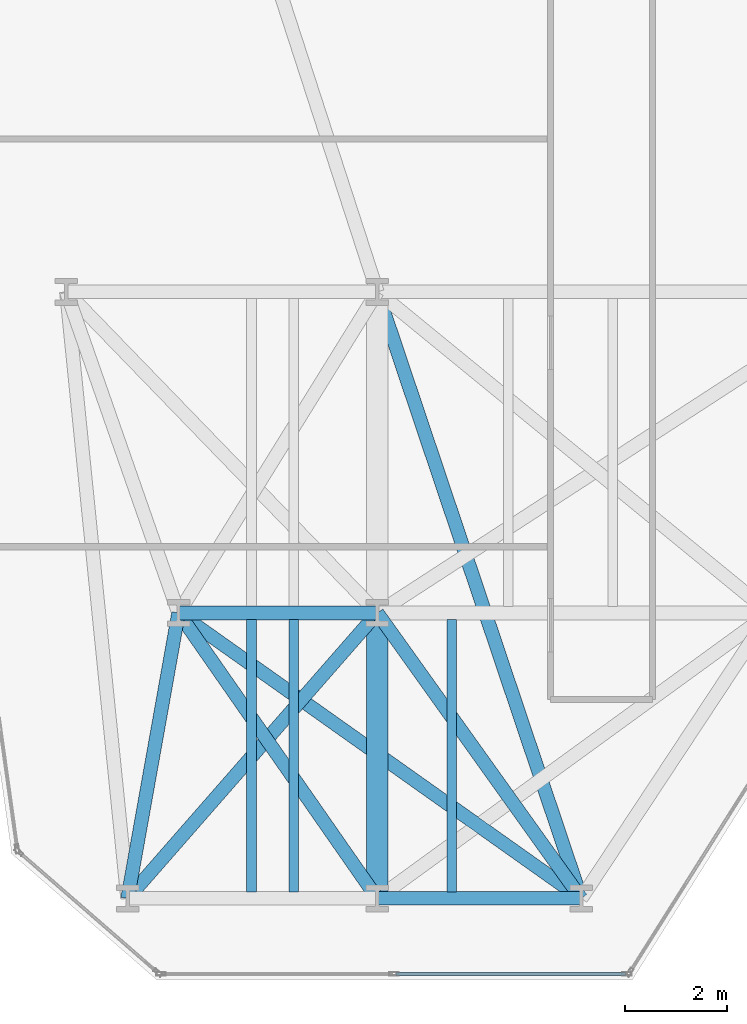
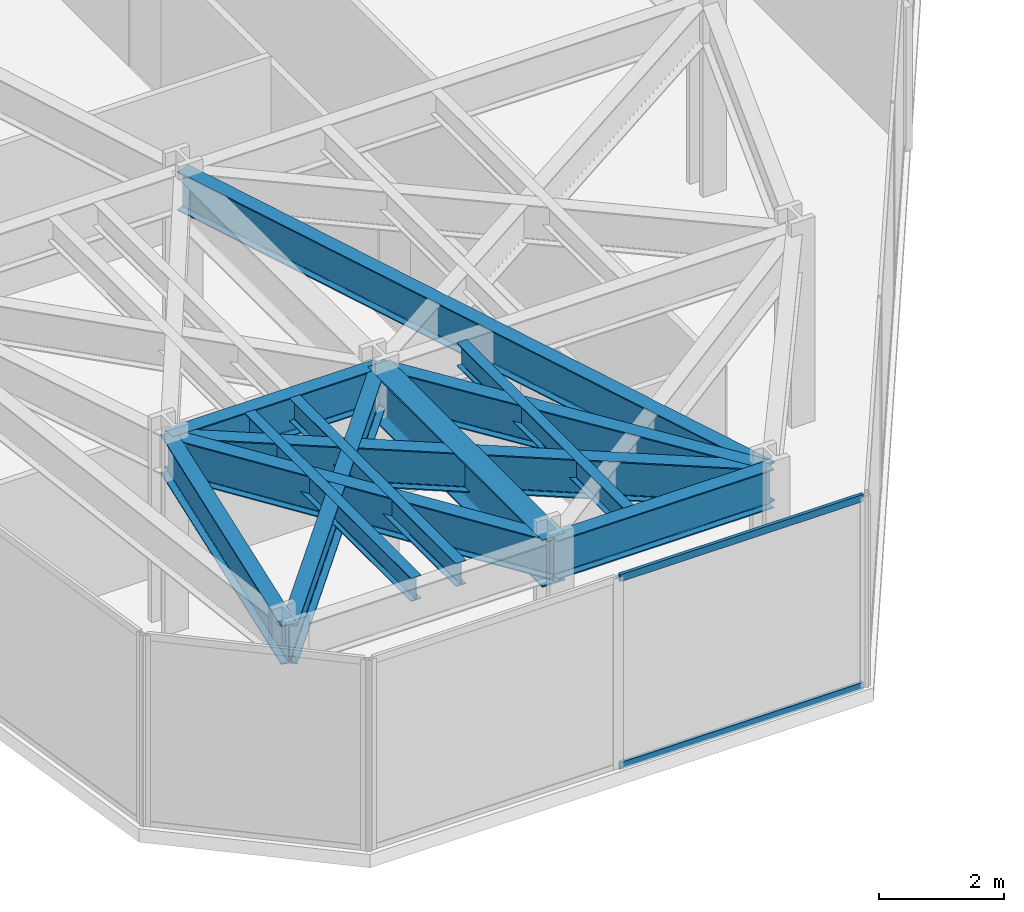
# One storey, part 3 of 25: 12 beams, 2 members, 1 element without a shape of its own.
"""IFC4 building model written with IfcOpenShell, lengths in metres."""

from ifc_helpers import new_model, si_unit, direction, frame, origin, origin_2d, place, context, subcontext, project, spatial, hollow_rectangle, i_section, extrude, material, layer, layer_set, material_profile, profile_set, type_object, element, aggregate, save


model = new_model("IFC4")

# Units and contexts
model_context = context("Model", 3, precision=1e-05, world=origin(), true_north=direction((0.0, 1.0)))
body_context = subcontext(model_context, "Body", "Model", "MODEL_VIEW")
ifc_project = project(units=[si_unit("LENGTHUNIT", "METRE"), si_unit("AREAUNIT", "SQUARE_METRE"), si_unit("VOLUMEUNIT", "CUBIC_METRE"), si_unit("PLANEANGLEUNIT", "RADIAN"), si_unit("MASSUNIT", "GRAM", prefix="KILO")], contexts=[model_context])

# Site, building, storey
site_placement = place(None, origin())
site = spatial("IfcSite", under=ifc_project, at=site_placement, CompositionType="ELEMENT")
building_placement = place(site_placement, origin())
building = spatial("IfcBuilding", under=site, at=building_placement, Name="Kravanh Interchange Tower", CompositionType="ELEMENT")
storey_placement = place(building_placement, frame((0.0, 0.0, 57.5)))
storey = spatial("IfcBuildingStorey", under=building, at=storey_placement, Name="L13", CompositionType="ELEMENT", Elevation=57.5)

# Curtain wall, members
ifc_material_1 = material(Name="Anodised Bronze Aluminium", Category="aluminium")
ifc_layer = layer(ifc_material_1, 0.179931640625)
ifc_layer_set = layer_set([ifc_layer], Name="Unitised Curtain Wall System CW-Z1 Lower Office")
curtain_wall_type = type_object("IfcCurtainWallType", Name="Unitised Curtain Wall System CW-Z1 Lower Office", PredefinedType="NOTDEFINED", material=ifc_layer_set)
curtain_wall_placement = place(storey_placement, origin())
curtain_wall = element("IfcCurtainWall", 1, at=curtain_wall_placement, inside=storey, type_object=curtain_wall_type, Name="L13 Unitised Curtain Wall CW-L13-06", PredefinedType="NOTDEFINED")
ifc_material_2 = material(Name="Anodised Bronze Aluminium", Category="aluminium")
ifc_material_profile_1 = material_profile(ifc_material_2, hollow_rectangle(XDim=0.06005859375, YDim=0.139892578125, WallThickness=0.00390625, at=origin_2d()), Name="ALU60X140X4")
ifc_profile_set_1 = profile_set([ifc_material_profile_1], Name="Anodised Bronze Aluminium")
member_type = type_object("IfcMemberType", Name="Curtain Wall Transom ALU60X140X4 Bronze", PredefinedType="USERDEFINED", material=ifc_profile_set_1)
member_1_placement = place(storey_placement, frame((22.36376953125, 1.1201171875, 0.030029296875), z_axis=(-1.0, 0.0, 0.0), x_axis=(0.0, -1.0, 0.0)))
member_1 = element("IfcMember", 2, at=member_1_placement, type_object=member_type, Name="CW-Z1 transom 1.1", ObjectType="TRANSOM", PredefinedType="USERDEFINED", context=body_context, shape_type="SweptSolid", body=[
    extrude(hollow_rectangle(XDim=0.06005859375, YDim=0.139892578125, WallThickness=0.00390625, at=origin_2d()), origin(), (0.0, 0.0, 1.0), 4.50146484375),
])
member_2_placement = place(storey_placement, frame((22.36376953125, 1.1201171875, 3.7099609375), z_axis=(-1.0, 0.0, 0.0), x_axis=(0.0, -1.0, 0.0)))
member_2 = element("IfcMember", 3, at=member_2_placement, type_object=member_type, Name="CW-Z1 transom 1.2", ObjectType="TRANSOM", PredefinedType="USERDEFINED", context=body_context, shape_type="SweptSolid", body=[
    extrude(hollow_rectangle(XDim=0.06005859375, YDim=0.139892578125, WallThickness=0.00390625, at=origin_2d()), origin(), (0.0, 0.0, 1.0), 4.50146484375),
])
aggregate(curtain_wall, [member_1, member_2])

# Beams
ifc_material_3 = material(Name="Structural Steel S355", Category="steel")
ifc_material_profile_2 = material_profile(ifc_material_3, i_section(OverallWidth=0.41796875, OverallDepth=0.927001953125, WebThickness=0.019287109375, FlangeThickness=0.031982421875, FilletRadius=0.028076171875, at=origin_2d()), Name="W36X231")
ifc_profile_set_2 = profile_set([ifc_material_profile_2], Name="Structural Steel S355")
beam_type_1 = type_object("IfcBeamType", Name="Floor Beam W36X231 Structural Steel S355", PredefinedType="BEAM", material=ifc_profile_set_2)
beam_1_placement = place(storey_placement, frame((17.5, 2.60009765625, 3.276611328125), z_axis=(0.0, 1.0, 0.0), x_axis=(-1.0, 0.0, 0.0)))
element("IfcBeam", 4, at=beam_1_placement, inside=storey, type_object=beam_type_1, Name="L13 Primary Floor Girder 103", PredefinedType="BEAM", context=body_context, shape_type="SweptSolid", body=[
    extrude(i_section(OverallWidth=0.41796875, OverallDepth=0.927001953125, WebThickness=0.019287109375, FlangeThickness=0.031982421875, FilletRadius=0.028076171875, at=origin_2d()), origin(), (0.0, 0.0, 1.0), 5.599853515625),
])
ifc_material_4 = material(Name="Structural Steel S355", Category="steel")
ifc_material_profile_3 = material_profile(ifc_material_4, i_section(OverallWidth=0.18994140625, OverallDepth=0.45703125, WebThickness=0.009033203125, FlangeThickness=0.014404296875, FilletRadius=0.01806640625, at=origin_2d()), Name="W18X50")
ifc_profile_set_3 = profile_set([ifc_material_profile_3], Name="Structural Steel S355")
beam_type_2 = type_object("IfcBeamType", Name="Floor Joist W18X50 Structural Steel S355", PredefinedType="JOIST", material=ifc_profile_set_3)
for number, where, z_axis, x_axis, name in (
    (5, (15.030029296875, 2.728515625, 3.511474609375), (0.0, 1.0, 0.0), (-1.0, 0.0, 0.0), "L13 Secondary Floor Joist 1"),
    (6, (15.862060546875, 2.728515625, 3.511474609375), (0.0, 1.0, 0.0), (-1.0, 0.0, 0.0), "L13 Secondary Floor Joist 2"),
    (7, (18.9599609375, 2.728515625, 3.511474609375), (0.0, 1.0, 0.0), (-1.0, 0.0, 0.0), "L13 Secondary Floor Joist 3"),
):
    element("IfcBeam", number, at=place(storey_placement, frame(where, z_axis=z_axis, x_axis=x_axis)), inside=storey, type_object=beam_type_2, Name=name, PredefinedType="JOIST", context=body_context, shape_type="SweptSolid", body=[
        extrude(i_section(OverallWidth=0.18994140625, OverallDepth=0.45703125, WebThickness=0.009033203125, FlangeThickness=0.014404296875, FilletRadius=0.01806640625, at=origin_2d()), origin(), (0.0, 0.0, 1.0), 5.343017578125),
    ])
ifc_material_5 = material(Name="Structural Steel S355", Category="steel")
ifc_material_profile_4 = material_profile(ifc_material_5, i_section(OverallWidth=0.26708984375, OverallDepth=0.761962890625, WebThickness=0.014404296875, FlangeThickness=0.021484375, FilletRadius=0.02490234375, at=origin_2d()), Name="W30X116")
ifc_profile_set_4 = profile_set([ifc_material_profile_4], Name="Structural Steel S355")
beam_type_3 = type_object("IfcBeamType", Name="Floor Spandrel W30X116 Structural Steel S355", PredefinedType="SPANDREL", material=ifc_profile_set_4)
beam_2_placement = place(storey_placement, frame((12.60009765625, 2.60009765625, 3.35888671875), z_axis=(0.175795094814, 0.984426779725, 0.0), x_axis=(-0.984426779725, 0.175795094814, 0.0)))
element("IfcBeam", 8, at=beam_2_placement, inside=storey, type_object=beam_type_3, Name="L13 Perimeter Spandrel 39", PredefinedType="SPANDREL", context=body_context, shape_type="SweptSolid", body=[
    extrude(i_section(OverallWidth=0.26708984375, OverallDepth=0.761962890625, WebThickness=0.014404296875, FlangeThickness=0.021484375, FilletRadius=0.02490234375, at=origin_2d()), origin(), (0.0, 0.0, 1.0), 5.6884765625),
])
beam_3_placement = place(storey_placement, frame((12.60009765625, 2.60009765625, 3.35888671875), z_axis=(0.658506930733, 0.752574662194, 0.0), x_axis=(-0.752574662194, 0.658506930733, 0.0)))
element("IfcBeam", 9, at=beam_3_placement, inside=storey, type_object=beam_type_3, Name="L13 Perimeter Spandrel 40", PredefinedType="SPANDREL", context=body_context, shape_type="SweptSolid", body=[
    extrude(i_section(OverallWidth=0.26708984375, OverallDepth=0.761962890625, WebThickness=0.014404296875, FlangeThickness=0.021484375, FilletRadius=0.02490234375, at=origin_2d()), origin(), (0.0, 0.0, 1.0), 7.44091796875),
])
beam_4_placement = place(storey_placement, frame((17.5, 2.60009765625, 3.35888671875), z_axis=(1.0, 0.0, 0.0), x_axis=(0.0, 1.0, 0.0)))
element("IfcBeam", 10, at=beam_4_placement, inside=storey, type_object=beam_type_3, Name="L13 Perimeter Spandrel 102", PredefinedType="SPANDREL", context=body_context, shape_type="SweptSolid", body=[
    extrude(i_section(OverallWidth=0.26708984375, OverallDepth=0.761962890625, WebThickness=0.014404296875, FlangeThickness=0.021484375, FilletRadius=0.02490234375, at=origin_2d()), origin(), (0.0, 0.0, 1.0), 4.0),
])
beam_5_placement = place(storey_placement, frame((17.5, 2.60009765625, 3.35888671875), z_axis=(-0.571494183969, 0.820606116045, 0.0), x_axis=(-0.820606116045, -0.571494183969, 0.0)))
element("IfcBeam", 11, at=beam_5_placement, inside=storey, type_object=beam_type_3, Name="L13 Perimeter Spandrel 104", PredefinedType="SPANDREL", context=body_context, shape_type="SweptSolid", body=[
    extrude(i_section(OverallWidth=0.26708984375, OverallDepth=0.761962890625, WebThickness=0.014404296875, FlangeThickness=0.021484375, FilletRadius=0.02490234375, at=origin_2d()), origin(), (0.0, 0.0, 1.0), 6.823974609375),
])
beam_6_placement = place(storey_placement, frame((21.5, 2.60009765625, 3.35888671875), z_axis=(-0.581248261352, 0.813726279946, 0.0), x_axis=(-0.813726279946, -0.581248261352, 0.0)))
element("IfcBeam", 12, at=beam_6_placement, inside=storey, type_object=beam_type_3, Name="L13 Perimeter Spandrel 122", PredefinedType="SPANDREL", context=body_context, shape_type="SweptSolid", body=[
    extrude(i_section(OverallWidth=0.26708984375, OverallDepth=0.761962890625, WebThickness=0.014404296875, FlangeThickness=0.021484375, FilletRadius=0.02490234375, at=origin_2d()), origin(), (0.0, 0.0, 1.0), 6.8818359375),
])
beam_7_placement = place(storey_placement, frame((21.5, 2.60009765625, 3.35888671875), z_axis=(-0.815825239527, 0.578298520274, 0.0), x_axis=(-0.578298520274, -0.815825239527, 0.0)))
element("IfcBeam", 13, at=beam_7_placement, inside=storey, type_object=beam_type_3, Name="L13 Perimeter Spandrel 123", PredefinedType="SPANDREL", context=body_context, shape_type="SweptSolid", body=[
    extrude(i_section(OverallWidth=0.26708984375, OverallDepth=0.761962890625, WebThickness=0.014404296875, FlangeThickness=0.021484375, FilletRadius=0.02490234375, at=origin_2d()), origin(), (0.0, 0.0, 1.0), 9.683349609375),
])
beam_8_placement = place(storey_placement, frame((21.5, 2.60009765625, 3.35888671875), z_axis=(-0.318618734989, 0.947882957814, 0.0), x_axis=(-0.947882957814, -0.318618734989, 0.0)))
element("IfcBeam", 14, at=beam_8_placement, inside=storey, type_object=beam_type_3, Name="L13 Perimeter Spandrel 124", PredefinedType="SPANDREL", context=body_context, shape_type="SweptSolid", body=[
    extrude(i_section(OverallWidth=0.26708984375, OverallDepth=0.761962890625, WebThickness=0.014404296875, FlangeThickness=0.021484375, FilletRadius=0.02490234375, at=origin_2d()), origin(), (0.0, 0.0, 1.0), 12.55419921875),
])
beam_9_placement = place(storey_placement, frame((13.60009765625, 8.199951171875, 3.35888671875), z_axis=(1.0, 0.0, 0.0), x_axis=(0.0, 1.0, 0.0)))
element("IfcBeam", 15, at=beam_9_placement, inside=storey, type_object=beam_type_3, Name="L13 Perimeter Spandrel 133", PredefinedType="SPANDREL", context=body_context, shape_type="SweptSolid", body=[
    extrude(i_section(OverallWidth=0.26708984375, OverallDepth=0.761962890625, WebThickness=0.014404296875, FlangeThickness=0.021484375, FilletRadius=0.02490234375, at=origin_2d()), origin(), (0.0, 0.0, 1.0), 3.89990234375),
])

save(model, "model.ifc")
